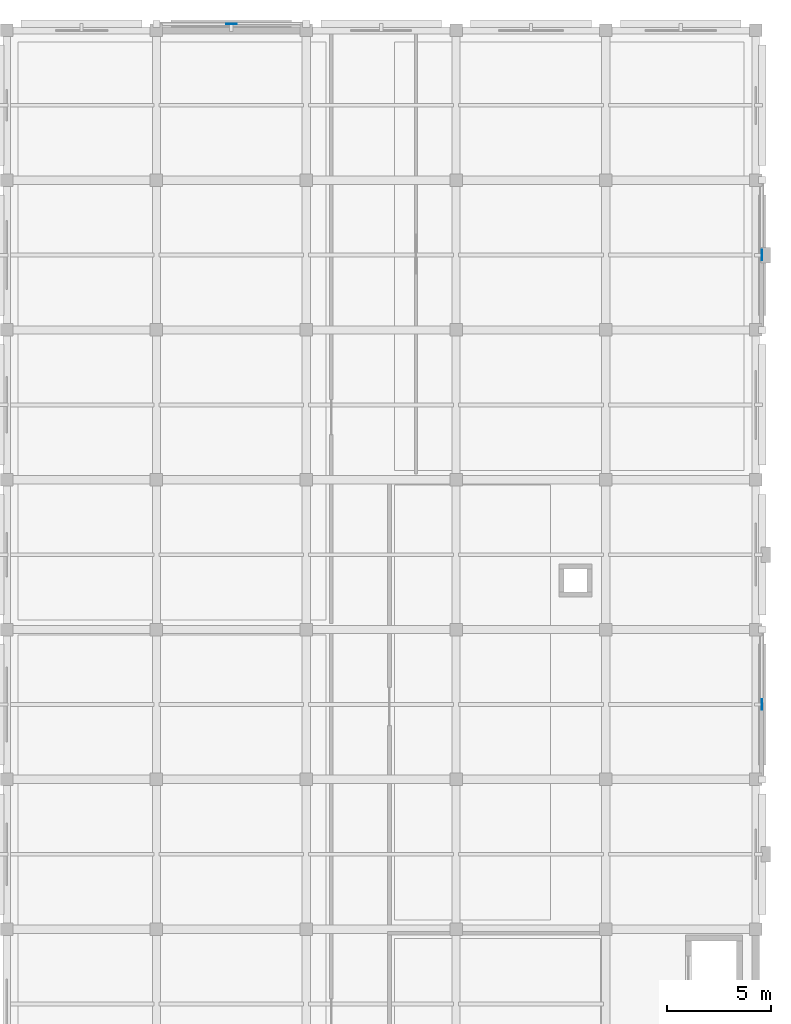
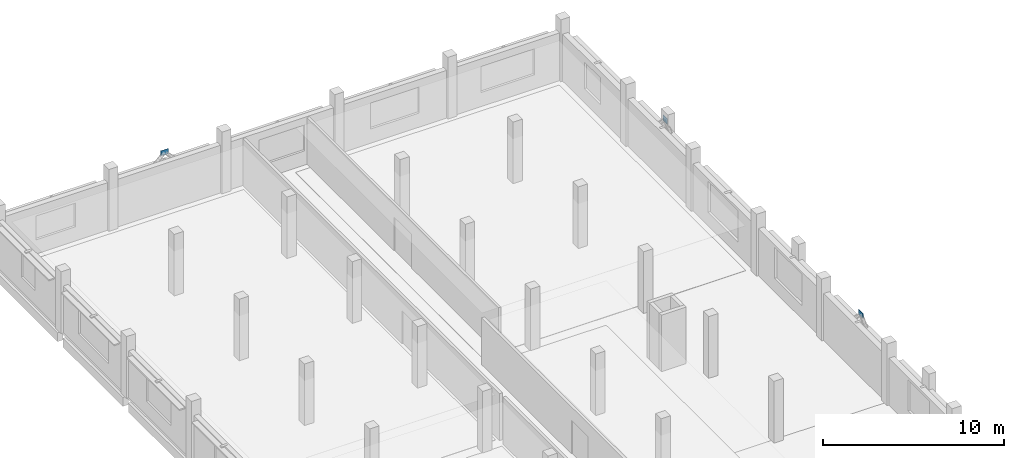
# One storey, part 34 of 51: 3 plates.
"""IFC4 building model written with IfcOpenShell, lengths in metres."""

from ifc_helpers import new_model, si_unit, direction, frame, origin, origin_2d, place, context, subcontext, project, spatial, rectangle, extrude, material, type_object, element, save


model = new_model("IFC4")

# Units and contexts
model_context = context("Model", 3, precision=1e-05, world=origin(), true_north=direction((0.0, 1.0)))
body_context = subcontext(model_context, "Body", "Model", "MODEL_VIEW")
ifc_project = project(units=[si_unit("LENGTHUNIT", "METRE"), si_unit("AREAUNIT", "SQUARE_METRE"), si_unit("VOLUMEUNIT", "CUBIC_METRE"), si_unit("PLANEANGLEUNIT", "RADIAN"), si_unit("MASSUNIT", "GRAM", prefix="KILO")], contexts=[model_context])

# Site, building, storey
site_placement = place(None, origin())
site = spatial("IfcSite", under=ifc_project, at=site_placement, CompositionType="ELEMENT")
building_placement = place(site_placement, origin())
building = spatial("IfcBuilding", under=site, at=building_placement, Name="Valkovuoma Quantum and Materials Research Institute", CompositionType="ELEMENT")
storey_placement = place(building_placement, frame((0.0, 0.0, 17.280029296875)))
storey = spatial("IfcBuildingStorey", under=building, at=storey_placement, Name="L04", CompositionType="ELEMENT", Elevation=17.280029296875)

# Plates
ifc_material = material(Name="Steel S355J2", Category="steel")
plate_type = type_object("IfcPlateType", Name="Plate-PL-SHT1", PredefinedType="SHEET", material=ifc_material)
for number, where, z_axis, x_axis, name in (
    (1, (165.89990234375, 82.800048828125, 3.434814453125), (0.0, 0.0, 1.0), (0.0, 1.0, 0.0), "L04 chevron node sheet plate 12"),
    (2, (165.89990234375, 104.39990234375, 3.434814453125), (0.0, 0.0, 1.0), (0.0, 1.0, 0.0), "L04 chevron node sheet plate 18"),
    (3, (140.39990234375, 115.5, 3.434814453125), (0.0, 0.0, 1.0), (1.0, 0.0, 0.0), "L04 chevron node sheet plate 24"),
):
    element("IfcPlate", number, at=place(storey_placement, frame(where, z_axis=z_axis, x_axis=x_axis)), inside=storey, type_object=plate_type, Name=name, PredefinedType="SHEET", context=body_context, shape_type="SweptSolid", body=[
        extrude(rectangle(XDim=0.5, YDim=0.02001953125, at=origin_2d()), origin(), (0.0, 0.0, 1.0), 0.35009765625),
    ])

save(model, "model.ifc")
